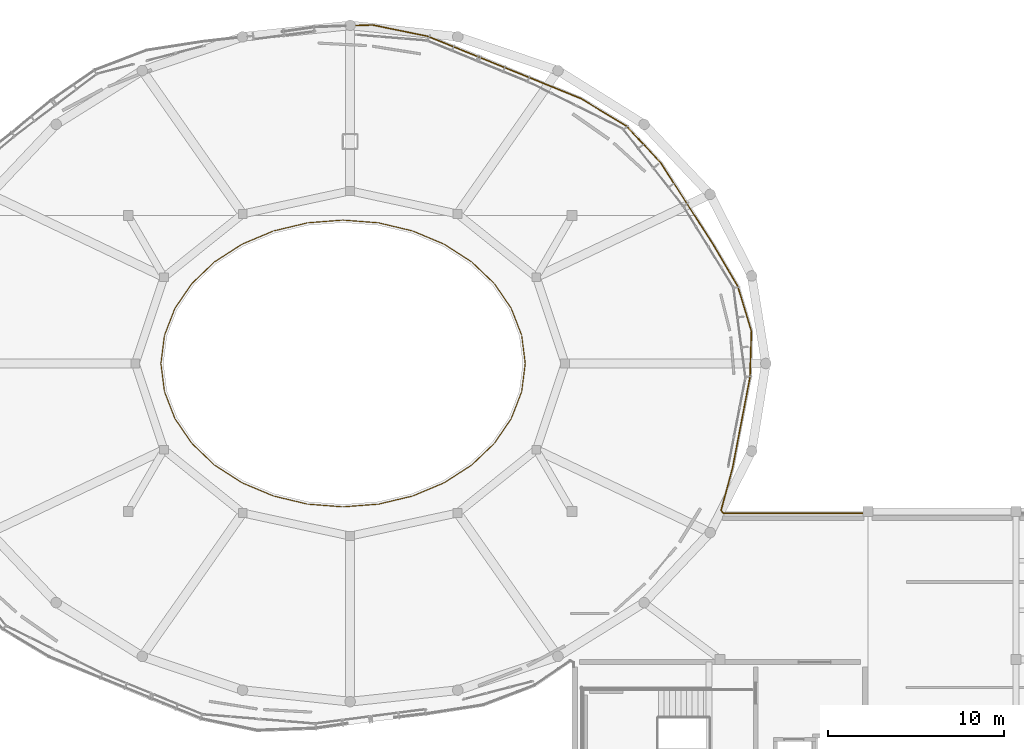
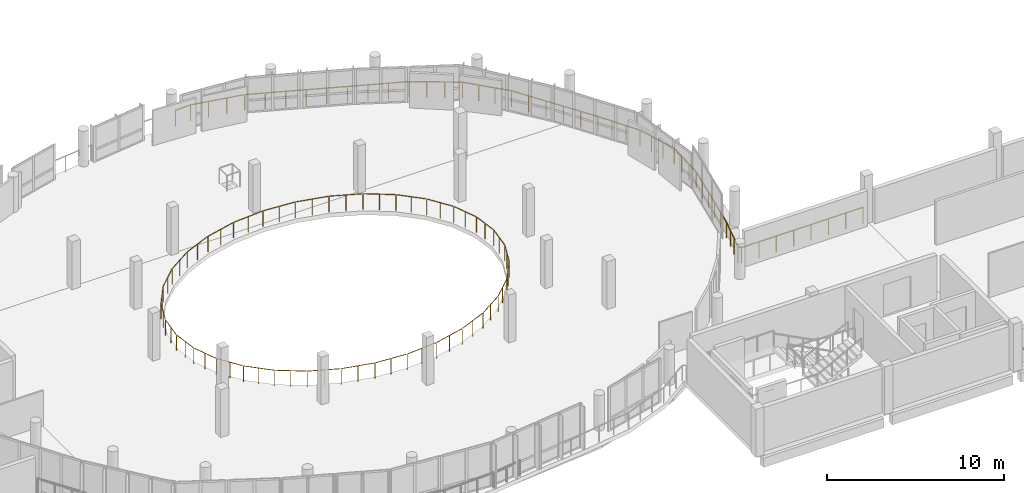
# One storey, part 38 of 43: 2 railings.
"""IFC4 building model written with IfcOpenShell, lengths in metres."""

from ifc_helpers import new_model, si_unit, derived_unit, direction, frame, origin, origin_2d, place, context, subcontext, project, spatial, circle, extrude, material, type_object, element, save


model = new_model("IFC4")

# Units and contexts
model_context = context("Model", 3, precision=1e-05, world=origin(), true_north=direction((0.0, 1.0)))
body_context = subcontext(model_context, "Body", "Model", "MODEL_VIEW")
ifc_project = project(units=[si_unit("LENGTHUNIT", "METRE"), si_unit("AREAUNIT", "SQUARE_METRE"), si_unit("VOLUMEUNIT", "CUBIC_METRE"), si_unit("PLANEANGLEUNIT", "RADIAN"), si_unit("MASSUNIT", "GRAM", prefix="KILO"), derived_unit("THERMALTRANSMITTANCEUNIT", [(si_unit("POWERUNIT", "WATT"), 1), (si_unit("LENGTHUNIT", "METRE"), -2), (si_unit("THERMODYNAMICTEMPERATUREUNIT", "KELVIN"), -1)])], contexts=[model_context])

# Site, building, storey
site_placement = place(None, origin())
site = spatial("IfcSite", under=ifc_project, at=site_placement, CompositionType="ELEMENT")
building_placement = place(site_placement, origin())
building = spatial("IfcBuilding", under=site, at=building_placement, Name="Elbkamm Science Centre", CompositionType="ELEMENT")
storey_placement = place(building_placement, frame((0.0, 0.0, 18.300048828125)))
storey = spatial("IfcBuildingStorey", under=building, at=storey_placement, Name="L04", CompositionType="ELEMENT", Elevation=18.300048828125)

# Railings
ifc_material = material(Name="Stainless steel EN 1.4401", Category="steel")
railing_type_1 = type_object("IfcRailingType", Name="RAIL-EXT-GUARD-1100", PredefinedType="GUARDRAIL", material=ifc_material)
railing_1_placement = place(storey_placement, frame((63.27099609375, 86.383056640625, 0.0)))
element("IfcRailing", 1, at=railing_1_placement, inside=storey, type_object=railing_type_1, Name="L04 Slab Edge Perimeter Guard 100", PredefinedType="GUARDRAIL", context=body_context, shape_type="SweptSolid", body=[
    extrude(circle(Radius=0.02392578125, at=origin_2d()), frame((0.0, 0.0, 1.078125), z_axis=(0.999324862533, 0.036739884652, 0.0), x_axis=(-0.036739884652, 0.999324862533, 0.0)), (0.0, 0.0, 1.0), 0.966796875),
    extrude(circle(Radius=0.02392578125, at=origin_2d()), frame((1.025390625, 0.030517578125, 1.078125), z_axis=(0.979495685035, -0.2014651409, 0.0), x_axis=(0.2014651409, 0.979495685035, 0.0)), (0.0, 0.0, 1.0), 3.168212890625),
    extrude(circle(Radius=0.02392578125, at=origin_2d()), frame((4.18603515625, -0.625, 1.078125), z_axis=(0.926209757619, -0.377008600554, 0.0), x_axis=(0.377008600554, 0.926209757619, 0.0)), (0.0, 0.0, 1.0), 9.302001953125),
    extrude(circle(Radius=0.02392578125, at=origin_2d()), frame((12.85498046875, -4.15869140625, 1.078125), z_axis=(0.856214158233, -0.516621055746, 0.0), x_axis=(0.516621055746, 0.856214158233, 0.0)), (0.0, 0.0, 1.0), 2.961669921875),
    extrude(circle(Radius=0.02392578125, at=origin_2d()), frame((15.43701171875, -5.726318359375, 1.078125), z_axis=(0.681331213167, -0.731975257754, 0.0), x_axis=(0.731975257754, 0.681331213167, 0.0)), (0.0, 0.0, 1.0), 2.83251953125),
    extrude(circle(Radius=0.02392578125, at=origin_2d()), frame((17.4033203125, -7.846923828125, 1.078125), z_axis=(0.538940555862, -0.84234379991, 0.0), x_axis=(0.84234379991, 0.538940555862, 0.0)), (0.0, 0.0, 1.0), 5.451171875),
    extrude(circle(Radius=0.02392578125, at=origin_2d()), frame((20.37255859375, -12.48974609375, 1.078125), z_axis=(0.507643540798, -0.861567197313, 0.0), x_axis=(0.861567197313, 0.507643540798, 0.0)), (0.0, 0.0, 1.0), 2.66064453125),
    extrude(circle(Radius=0.02392578125, at=origin_2d()), frame((21.747314453125, -14.836669921875, 1.078125), z_axis=(0.289828634128, -0.957078556253, 0.0), x_axis=(0.957078556253, 0.289828634128, 0.0)), (0.0, 0.0, 1.0), 2.593505859375),
    extrude(circle(Radius=0.02392578125, at=origin_2d()), frame((22.506591796875, -17.37744140625, 1.078125), z_axis=(-0.02984716151, -0.999554474228, 0.0), x_axis=(0.999554474228, -0.02984716151, 0.0)), (0.0, 0.0, 1.0), 2.565673828125),
    extrude(circle(Radius=0.02392578125, at=origin_2d()), frame((22.423583984375, -20.00146484375, 1.078125), z_axis=(-0.189546381365, -0.981871768263, 0.0), x_axis=(0.981871768263, -0.189546381365, 0.0)), (0.0, 0.0, 1.0), 5.160400390625),
    extrude(circle(Radius=0.02392578125, at=origin_2d()), frame((21.431884765625, -25.126708984375, 1.078125), z_axis=(-0.259216658009, -0.96581919851, 0.0), x_axis=(0.96581919851, -0.259216658009, 0.0)), (0.0, 0.0, 1.0), 2.462158203125),
    extrude(circle(Radius=0.02392578125, at=origin_2d()), frame((20.806640625, -27.555419921875, 1.078125), z_axis=(0.690363276345, -0.723462885485, 0.0), x_axis=(0.723462885485, 0.690363276345, 0.0)), (0.0, 0.0, 1.0), 0.146484375),
    extrude(circle(Radius=0.02392578125, at=origin_2d()), frame((20.95849609375, -27.68310546875, 1.078125), z_axis=(1.0, 0.0, 0.0), x_axis=(0.0, 1.0, 0.0)), (0.0, 0.0, 1.0), 7.890625),
    extrude(circle(Radius=0.02001953125, at=origin_2d()), origin(), (0.0, 0.0, 1.0), 1.048095703125),
    extrude(circle(Radius=0.02001953125, at=origin_2d()), frame((0.99609375, 0.03662109375, 0.0)), (0.0, 0.0, 1.0), 1.048095703125),
    extrude(circle(Radius=0.02001953125, at=origin_2d()), frame((2.050048828125, -0.18017578125, 0.0)), (0.0, 0.0, 1.0), 1.048095703125),
    extrude(circle(Radius=0.02001953125, at=origin_2d()), frame((3.104248046875, -0.39697265625, 0.0)), (0.0, 0.0, 1.0), 1.048095703125),
    extrude(circle(Radius=0.02001953125, at=origin_2d()), frame((4.158203125, -0.61376953125, 0.0)), (0.0, 0.0, 1.0), 1.048095703125),
    extrude(circle(Radius=0.02001953125, at=origin_2d()), frame((5.2421875, -1.054931640625, 0.0)), (0.0, 0.0, 1.0), 1.048095703125),
    extrude(circle(Radius=0.02001953125, at=origin_2d()), frame((6.325927734375, -1.49609375, 0.0)), (0.0, 0.0, 1.0), 1.048095703125),
    extrude(circle(Radius=0.02001953125, at=origin_2d()), frame((7.409912109375, -1.937255859375, 0.0)), (0.0, 0.0, 1.0), 1.048095703125),
    extrude(circle(Radius=0.02001953125, at=origin_2d()), frame((8.49365234375, -2.37841796875, 0.0)), (0.0, 0.0, 1.0), 1.048095703125),
    extrude(circle(Radius=0.02001953125, at=origin_2d()), frame((9.57763671875, -2.81982421875, 0.0)), (0.0, 0.0, 1.0), 1.048095703125),
    extrude(circle(Radius=0.02001953125, at=origin_2d()), frame((10.66162109375, -3.260986328125, 0.0)), (0.0, 0.0, 1.0), 1.048095703125),
    extrude(circle(Radius=0.02001953125, at=origin_2d()), frame((11.745361328125, -3.7021484375, 0.0)), (0.0, 0.0, 1.0), 1.048095703125),
    extrude(circle(Radius=0.02001953125, at=origin_2d()), frame((12.829345703125, -4.143310546875, 0.0)), (0.0, 0.0, 1.0), 1.048095703125),
    extrude(circle(Radius=0.02001953125, at=origin_2d()), frame((13.691650390625, -4.66357421875, 0.0)), (0.0, 0.0, 1.0), 1.048095703125),
    extrude(circle(Radius=0.02001953125, at=origin_2d()), frame((14.55419921875, -5.18408203125, 0.0)), (0.0, 0.0, 1.0), 1.048095703125),
    extrude(circle(Radius=0.02001953125, at=origin_2d()), frame((15.41650390625, -5.704345703125, 0.0)), (0.0, 0.0, 1.0), 1.048095703125),
    extrude(circle(Radius=0.02001953125, at=origin_2d()), frame((16.073486328125, -6.41015625, 0.0)), (0.0, 0.0, 1.0), 1.048095703125),
    extrude(circle(Radius=0.02001953125, at=origin_2d()), frame((16.730224609375, -7.11572265625, 0.0)), (0.0, 0.0, 1.0), 1.048095703125),
    extrude(circle(Radius=0.02001953125, at=origin_2d()), frame((17.38720703125, -7.821533203125, 0.0)), (0.0, 0.0, 1.0), 1.048095703125),
    extrude(circle(Radius=0.02001953125, at=origin_2d()), frame((17.981201171875, -8.75, 0.0)), (0.0, 0.0, 1.0), 1.048095703125),
    extrude(circle(Radius=0.02001953125, at=origin_2d()), frame((18.5751953125, -9.678466796875, 0.0)), (0.0, 0.0, 1.0), 1.048095703125),
    extrude(circle(Radius=0.02001953125, at=origin_2d()), frame((19.16943359375, -10.60693359375, 0.0)), (0.0, 0.0, 1.0), 1.048095703125),
    extrude(circle(Radius=0.02001953125, at=origin_2d()), frame((19.763427734375, -11.535400390625, 0.0)), (0.0, 0.0, 1.0), 1.048095703125),
    extrude(circle(Radius=0.02001953125, at=origin_2d()), frame((20.357421875, -12.4638671875, 0.0)), (0.0, 0.0, 1.0), 1.048095703125),
    extrude(circle(Radius=0.02001953125, at=origin_2d()), frame((20.81787109375, -13.2451171875, 0.0)), (0.0, 0.0, 1.0), 1.048095703125),
    extrude(circle(Radius=0.02001953125, at=origin_2d()), frame((21.278076171875, -14.026611328125, 0.0)), (0.0, 0.0, 1.0), 1.048095703125),
    extrude(circle(Radius=0.02001953125, at=origin_2d()), frame((21.738525390625, -14.807861328125, 0.0)), (0.0, 0.0, 1.0), 1.048095703125),
    extrude(circle(Radius=0.02001953125, at=origin_2d()), frame((21.994873046875, -15.654296875, 0.0)), (0.0, 0.0, 1.0), 1.048095703125),
    extrude(circle(Radius=0.02001953125, at=origin_2d()), frame((22.251220703125, -16.5009765625, 0.0)), (0.0, 0.0, 1.0), 1.048095703125),
    extrude(circle(Radius=0.02001953125, at=origin_2d()), frame((22.507568359375, -17.347412109375, 0.0)), (0.0, 0.0, 1.0), 1.048095703125),
    extrude(circle(Radius=0.02001953125, at=origin_2d()), frame((22.4814453125, -18.22216796875, 0.0)), (0.0, 0.0, 1.0), 1.048095703125),
    extrude(circle(Radius=0.02001953125, at=origin_2d()), frame((22.455322265625, -19.09716796875, 0.0)), (0.0, 0.0, 1.0), 1.048095703125),
    extrude(circle(Radius=0.02001953125, at=origin_2d()), frame((22.42919921875, -19.971923828125, 0.0)), (0.0, 0.0, 1.0), 1.048095703125),
    extrude(circle(Radius=0.02001953125, at=origin_2d()), frame((22.231201171875, -20.9970703125, 0.0)), (0.0, 0.0, 1.0), 1.048095703125),
    extrude(circle(Radius=0.02001953125, at=origin_2d()), frame((22.033447265625, -22.022216796875, 0.0)), (0.0, 0.0, 1.0), 1.048095703125),
    extrude(circle(Radius=0.02001953125, at=origin_2d()), frame((21.83544921875, -23.04736328125, 0.0)), (0.0, 0.0, 1.0), 1.048095703125),
    extrude(circle(Radius=0.02001953125, at=origin_2d()), frame((21.6376953125, -24.072509765625, 0.0)), (0.0, 0.0, 1.0), 1.048095703125),
    extrude(circle(Radius=0.02001953125, at=origin_2d()), frame((21.439697265625, -25.09765625, 0.0)), (0.0, 0.0, 1.0), 1.048095703125),
    extrude(circle(Radius=0.02001953125, at=origin_2d()), frame((21.2216796875, -25.90966796875, 0.0)), (0.0, 0.0, 1.0), 1.048095703125),
    extrude(circle(Radius=0.02001953125, at=origin_2d()), frame((21.00390625, -26.7216796875, 0.0)), (0.0, 0.0, 1.0), 1.048095703125),
    extrude(circle(Radius=0.02001953125, at=origin_2d()), frame((20.785888671875, -27.53369140625, 0.0)), (0.0, 0.0, 1.0), 1.048095703125),
    extrude(circle(Radius=0.02001953125, at=origin_2d()), frame((20.928466796875, -27.68310546875, 0.0)), (0.0, 0.0, 1.0), 1.048095703125),
    extrude(circle(Radius=0.02001953125, at=origin_2d()), frame((22.06005859375, -27.68310546875, 0.0)), (0.0, 0.0, 1.0), 1.048095703125),
    extrude(circle(Radius=0.02001953125, at=origin_2d()), frame((23.19140625, -27.68310546875, 0.0)), (0.0, 0.0, 1.0), 1.048095703125),
    extrude(circle(Radius=0.02001953125, at=origin_2d()), frame((24.322998046875, -27.68310546875, 0.0)), (0.0, 0.0, 1.0), 1.048095703125),
    extrude(circle(Radius=0.02001953125, at=origin_2d()), frame((25.45458984375, -27.68310546875, 0.0)), (0.0, 0.0, 1.0), 1.048095703125),
    extrude(circle(Radius=0.02001953125, at=origin_2d()), frame((26.586181640625, -27.68310546875, 0.0)), (0.0, 0.0, 1.0), 1.048095703125),
    extrude(circle(Radius=0.02001953125, at=origin_2d()), frame((27.717529296875, -27.68310546875, 0.0)), (0.0, 0.0, 1.0), 1.048095703125),
    extrude(circle(Radius=0.02001953125, at=origin_2d()), frame((28.84912109375, -27.68310546875, 0.0)), (0.0, 0.0, 1.0), 1.048095703125),
])
railing_type_2 = type_object("IfcRailingType", Name="RAIL-GUARD-1100", PredefinedType="GUARDRAIL", material=ifc_material)
railing_2_placement = place(storey_placement, frame((53.051513671875, 70.326904296875, 0.0)))
element("IfcRailing", 2, at=railing_2_placement, inside=storey, type_object=railing_type_2, Name="L04 Elliptical Atrium Void Guardrail", PredefinedType="GUARDRAIL", context=body_context, shape_type="SweptSolid", body=[
    extrude(circle(Radius=0.02392578125, at=origin_2d()), frame((0.0, 0.0, 1.078125), z_axis=(0.563230172701, 0.826300049957, 0.0), x_axis=(-0.826300049957, 0.563230172701, 0.0)), (0.0, 0.0, 1.0), 1.6748046875),
    extrude(circle(Radius=0.02392578125, at=origin_2d()), frame((0.98193359375, 1.429443359375, 1.078125), z_axis=(0.72294812775, 0.690902311896, 0.0), x_axis=(-0.690902311896, 0.72294812775, 0.0)), (0.0, 0.0, 1.0), 1.72265625),
    extrude(circle(Radius=0.02392578125, at=origin_2d()), frame((2.274169921875, 2.65673828125, 1.078125), z_axis=(0.840829361313, 0.541300272634, 0.0), x_axis=(-0.541300272634, 0.840829361313, 0.0)), (0.0, 0.0, 1.0), 1.80419921875),
    extrude(circle(Radius=0.02392578125, at=origin_2d()), frame((3.843994140625, 3.6611328125, 1.078125), z_axis=(0.922253863532, 0.386584804667, 0.0), x_axis=(-0.386584804667, 0.922253863532, 0.0)), (0.0, 0.0, 1.0), 1.875732421875),
    extrude(circle(Radius=0.02392578125, at=origin_2d()), frame((5.630859375, 4.404541015625, 1.078125), z_axis=(0.972844388558, 0.231460138365, 0.0), x_axis=(-0.231460138365, 0.972844388558, 0.0)), (0.0, 0.0, 1.0), 1.929443359375),
    extrude(circle(Radius=0.02392578125, at=origin_2d()), frame((7.56689453125, 4.8603515625, 1.078125), z_axis=(0.997034522539, 0.076955577225, 0.0), x_axis=(-0.076955577225, 0.997034522539, 0.0)), (0.0, 0.0, 1.0), 1.957763671875),
    extrude(circle(Radius=0.02392578125, at=origin_2d()), frame((9.57861328125, 5.01123046875, 1.078125), z_axis=(0.997033805831, -0.076964862302, 0.0), x_axis=(0.076964862302, 0.997033805831, 0.0)), (0.0, 0.0, 1.0), 1.95751953125),
    extrude(circle(Radius=0.02392578125, at=origin_2d()), frame((11.58935546875, 4.851318359375, 1.078125), z_axis=(0.972850962247, -0.231432506912, 0.0), x_axis=(0.231432506912, 0.972850962247, 0.0)), (0.0, 0.0, 1.0), 1.929443359375),
    extrude(circle(Radius=0.02392578125, at=origin_2d()), frame((13.523193359375, 4.385986328125, 1.078125), z_axis=(0.922253863532, -0.386584804667, 0.0), x_axis=(0.386584804667, 0.922253863532, 0.0)), (0.0, 0.0, 1.0), 1.875732421875),
    extrude(circle(Radius=0.02392578125, at=origin_2d()), frame((15.305908203125, 3.633056640625, 1.078125), z_axis=(0.84079097989, -0.541359887815, 0.0), x_axis=(0.541359887815, 0.84079097989, 0.0)), (0.0, 0.0, 1.0), 1.803955078125),
    extrude(circle(Radius=0.02392578125, at=origin_2d()), frame((16.86962890625, 2.61962890625, 1.078125), z_axis=(0.72301348959, -0.690833911929, 0.0), x_axis=(0.690833911929, 0.72301348959, 0.0)), (0.0, 0.0, 1.0), 1.722900390625),
    extrude(circle(Radius=0.02392578125, at=origin_2d()), frame((18.15380859375, 1.3837890625, 1.078125), z_axis=(0.563132383687, -0.826366697322, 0.0), x_axis=(0.826366697322, 0.563132383687, 0.0)), (0.0, 0.0, 1.0), 1.644775390625),
    extrude(circle(Radius=0.02392578125, at=origin_2d()), frame((19.107666015625, -0.028076171875, 1.078125), z_axis=(0.360652090239, -0.932700418037, 0.0), x_axis=(0.932700418037, 0.360652090239, 0.0)), (0.0, 0.0, 1.0), 1.582275390625),
    extrude(circle(Radius=0.02392578125, at=origin_2d()), frame((19.69287109375, -1.5615234375, 1.078125), z_axis=(0.124670149627, -0.992198243191, 0.0), x_axis=(0.992198243191, 0.124670149627, 0.0)), (0.0, 0.0, 1.0), 1.5478515625),
    extrude(circle(Radius=0.02392578125, at=origin_2d()), frame((19.885986328125, -3.15673828125, 1.078125), z_axis=(-0.124670149627, -0.992198243191, 0.0), x_axis=(0.992198243191, -0.124670149627, 0.0)), (0.0, 0.0, 1.0), 1.5478515625),
    extrude(circle(Radius=0.02392578125, at=origin_2d()), frame((19.678466796875, -4.750244140625, 1.078125), z_axis=(-0.360652090239, -0.932700418037, 0.0), x_axis=(0.932700418037, -0.360652090239, 0.0)), (0.0, 0.0, 1.0), 1.582275390625),
    extrude(circle(Radius=0.02392578125, at=origin_2d()), frame((19.080078125, -6.27880859375, 1.078125), z_axis=(-0.563132383687, -0.826366697322, 0.0), x_axis=(0.826366697322, -0.563132383687, 0.0)), (0.0, 0.0, 1.0), 1.644775390625),
    extrude(circle(Radius=0.02392578125, at=origin_2d()), frame((18.115234375, -7.683349609375, 1.078125), z_axis=(-0.72301348959, -0.690833911929, 0.0), x_axis=(0.690833911929, -0.72301348959, 0.0)), (0.0, 0.0, 1.0), 1.722900390625),
    extrude(circle(Radius=0.02392578125, at=origin_2d()), frame((16.82275390625, -8.91064453125, 1.078125), z_axis=(-0.840850599404, -0.541267281, 0.0), x_axis=(0.541267281, -0.840850599404, 0.0)), (0.0, 0.0, 1.0), 1.8037109375),
    extrude(circle(Radius=0.02392578125, at=origin_2d()), frame((15.253173828125, -9.914794921875, 1.078125), z_axis=(-0.922253863532, -0.386584804667, 0.0), x_axis=(0.386584804667, -0.922253863532, 0.0)), (0.0, 0.0, 1.0), 1.875732421875),
    extrude(circle(Radius=0.02392578125, at=origin_2d()), frame((13.46630859375, -10.658203125, 1.078125), z_axis=(-0.972850962247, -0.231432506912, 0.0), x_axis=(0.231432506912, -0.972850962247, 0.0)), (0.0, 0.0, 1.0), 1.929443359375),
    extrude(circle(Radius=0.02392578125, at=origin_2d()), frame((11.530029296875, -11.114013671875, 1.078125), z_axis=(-0.997024512467, -0.077085157718, 0.0), x_axis=(0.077085157718, -0.997024512467, 0.0)), (0.0, 0.0, 1.0), 1.95751953125),
    extrude(circle(Radius=0.02392578125, at=origin_2d()), frame((9.5185546875, -11.26513671875, 1.078125), z_axis=(-0.997025231409, 0.077075858302, 0.0), x_axis=(-0.077075858302, -0.997025231409, 0.0)), (0.0, 0.0, 1.0), 1.957763671875),
    extrude(circle(Radius=0.02392578125, at=origin_2d()), frame((7.507568359375, -11.10498046875, 1.078125), z_axis=(-0.972844388558, 0.231460138365, 0.0), x_axis=(-0.231460138365, -0.972844388558, 0.0)), (0.0, 0.0, 1.0), 1.929443359375),
    extrude(circle(Radius=0.02392578125, at=origin_2d()), frame((5.573974609375, -10.6396484375, 1.078125), z_axis=(-0.922253863532, 0.386584804667, 0.0), x_axis=(-0.386584804667, -0.922253863532, 0.0)), (0.0, 0.0, 1.0), 1.875732421875),
    extrude(circle(Radius=0.02392578125, at=origin_2d()), frame((3.791259765625, -9.88671875, 1.078125), z_axis=(-0.840888970417, 0.541207667565, 0.0), x_axis=(-0.541207667565, -0.840888970417, 0.0)), (0.0, 0.0, 1.0), 1.803955078125),
    extrude(circle(Radius=0.02392578125, at=origin_2d()), frame((2.227294921875, -8.87353515625, 1.078125), z_axis=(-0.72294812775, 0.690902311896, 0.0), x_axis=(-0.690902311896, -0.72294812775, 0.0)), (0.0, 0.0, 1.0), 1.72265625),
    extrude(circle(Radius=0.02392578125, at=origin_2d()), frame((0.943359375, -7.6376953125, 1.078125), z_axis=(-0.563230172701, 0.826300049957, 0.0), x_axis=(-0.826300049957, -0.563230172701, 0.0)), (0.0, 0.0, 1.0), 1.644775390625),
    extrude(circle(Radius=0.02392578125, at=origin_2d()), frame((-0.0107421875, -6.225830078125, 1.078125), z_axis=(-0.360652090239, 0.932700418037, 0.0), x_axis=(-0.932700418037, -0.360652090239, 0.0)), (0.0, 0.0, 1.0), 1.582275390625),
    extrude(circle(Radius=0.02392578125, at=origin_2d()), frame((-0.595947265625, -4.6923828125, 1.078125), z_axis=(-0.124670149627, 0.992198243191, 0.0), x_axis=(-0.992198243191, -0.124670149627, 0.0)), (0.0, 0.0, 1.0), 1.5478515625),
    extrude(circle(Radius=0.02392578125, at=origin_2d()), frame((-0.7890625, -3.09716796875, 1.078125), z_axis=(0.124670149627, 0.992198243191, 0.0), x_axis=(-0.992198243191, 0.124670149627, 0.0)), (0.0, 0.0, 1.0), 1.5478515625),
    extrude(circle(Radius=0.02392578125, at=origin_2d()), frame((-0.58154296875, -1.503662109375, 1.078125), z_axis=(0.360652090239, 0.932700418037, 0.0), x_axis=(-0.932700418037, 0.360652090239, 0.0)), (0.0, 0.0, 1.0), 1.6123046875),
    extrude(circle(Radius=0.02001953125, at=origin_2d()), origin(), (0.0, 0.0, 1.0), 1.048095703125),
    extrude(circle(Radius=0.02001953125, at=origin_2d()), frame((0.47998046875, 0.704345703125, 0.0)), (0.0, 0.0, 1.0), 1.048095703125),
    extrude(circle(Radius=0.02001953125, at=origin_2d()), frame((0.960205078125, 1.40869140625, 0.0)), (0.0, 0.0, 1.0), 1.048095703125),
    extrude(circle(Radius=0.02001953125, at=origin_2d()), frame((1.6044921875, 2.0244140625, 0.0)), (0.0, 0.0, 1.0), 1.048095703125),
    extrude(circle(Radius=0.02001953125, at=origin_2d()), frame((2.2490234375, 2.640380859375, 0.0)), (0.0, 0.0, 1.0), 1.048095703125),
    extrude(circle(Radius=0.02001953125, at=origin_2d()), frame((3.03271484375, 3.14501953125, 0.0)), (0.0, 0.0, 1.0), 1.048095703125),
    extrude(circle(Radius=0.02001953125, at=origin_2d()), frame((3.81640625, 3.6494140625, 0.0)), (0.0, 0.0, 1.0), 1.048095703125),
    extrude(circle(Radius=0.02001953125, at=origin_2d()), frame((4.708984375, 4.0234375, 0.0)), (0.0, 0.0, 1.0), 1.048095703125),
    extrude(circle(Radius=0.02001953125, at=origin_2d()), frame((5.6015625, 4.397705078125, 0.0)), (0.0, 0.0, 1.0), 1.048095703125),
    extrude(circle(Radius=0.02001953125, at=origin_2d()), frame((6.5693359375, 4.6279296875, 0.0)), (0.0, 0.0, 1.0), 1.048095703125),
    extrude(circle(Radius=0.02001953125, at=origin_2d()), frame((7.536865234375, 4.858154296875, 0.0)), (0.0, 0.0, 1.0), 1.048095703125),
    extrude(circle(Radius=0.02001953125, at=origin_2d()), frame((8.542724609375, 4.935791015625, 0.0)), (0.0, 0.0, 1.0), 1.048095703125),
    extrude(circle(Radius=0.02001953125, at=origin_2d()), frame((9.548583984375, 5.013427734375, 0.0)), (0.0, 0.0, 1.0), 1.048095703125),
    extrude(circle(Radius=0.02001953125, at=origin_2d()), frame((10.55419921875, 4.935791015625, 0.0)), (0.0, 0.0, 1.0), 1.048095703125),
    extrude(circle(Radius=0.02001953125, at=origin_2d()), frame((11.56005859375, 4.858154296875, 0.0)), (0.0, 0.0, 1.0), 1.048095703125),
    extrude(circle(Radius=0.02001953125, at=origin_2d()), frame((12.52783203125, 4.6279296875, 0.0)), (0.0, 0.0, 1.0), 1.048095703125),
    extrude(circle(Radius=0.02001953125, at=origin_2d()), frame((13.49560546875, 4.397705078125, 0.0)), (0.0, 0.0, 1.0), 1.048095703125),
    extrude(circle(Radius=0.02001953125, at=origin_2d()), frame((14.38818359375, 4.0234375, 0.0)), (0.0, 0.0, 1.0), 1.048095703125),
    extrude(circle(Radius=0.02001953125, at=origin_2d()), frame((15.28076171875, 3.6494140625, 0.0)), (0.0, 0.0, 1.0), 1.048095703125),
    extrude(circle(Radius=0.02001953125, at=origin_2d()), frame((16.064453125, 3.14501953125, 0.0)), (0.0, 0.0, 1.0), 1.048095703125),
    extrude(circle(Radius=0.02001953125, at=origin_2d()), frame((16.847900390625, 2.640380859375, 0.0)), (0.0, 0.0, 1.0), 1.048095703125),
    extrude(circle(Radius=0.02001953125, at=origin_2d()), frame((17.492431640625, 2.0244140625, 0.0)), (0.0, 0.0, 1.0), 1.048095703125),
    extrude(circle(Radius=0.02001953125, at=origin_2d()), frame((18.136962890625, 1.40869140625, 0.0)), (0.0, 0.0, 1.0), 1.048095703125),
    extrude(circle(Radius=0.02001953125, at=origin_2d()), frame((18.616943359375, 0.704345703125, 0.0)), (0.0, 0.0, 1.0), 1.048095703125),
    extrude(circle(Radius=0.02001953125, at=origin_2d()), frame((19.096923828125, 0.0, 0.0)), (0.0, 0.0, 1.0), 1.048095703125),
    extrude(circle(Radius=0.02001953125, at=origin_2d()), frame((19.39306640625, -0.765869140625, 0.0)), (0.0, 0.0, 1.0), 1.048095703125),
    extrude(circle(Radius=0.02001953125, at=origin_2d()), frame((19.689208984375, -1.53173828125, 0.0)), (0.0, 0.0, 1.0), 1.048095703125),
    extrude(circle(Radius=0.02001953125, at=origin_2d()), frame((19.78955078125, -2.329345703125, 0.0)), (0.0, 0.0, 1.0), 1.048095703125),
    extrude(circle(Radius=0.02001953125, at=origin_2d()), frame((19.8896484375, -3.126953125, 0.0)), (0.0, 0.0, 1.0), 1.048095703125),
    extrude(circle(Radius=0.02001953125, at=origin_2d()), frame((19.78955078125, -3.924560546875, 0.0)), (0.0, 0.0, 1.0), 1.048095703125),
    extrude(circle(Radius=0.02001953125, at=origin_2d()), frame((19.689208984375, -4.72216796875, 0.0)), (0.0, 0.0, 1.0), 1.048095703125),
    extrude(circle(Radius=0.02001953125, at=origin_2d()), frame((19.39306640625, -5.488037109375, 0.0)), (0.0, 0.0, 1.0), 1.048095703125),
    extrude(circle(Radius=0.02001953125, at=origin_2d()), frame((19.096923828125, -6.25390625, 0.0)), (0.0, 0.0, 1.0), 1.048095703125),
    extrude(circle(Radius=0.02001953125, at=origin_2d()), frame((18.616943359375, -6.958251953125, 0.0)), (0.0, 0.0, 1.0), 1.048095703125),
    extrude(circle(Radius=0.02001953125, at=origin_2d()), frame((18.136962890625, -7.66259765625, 0.0)), (0.0, 0.0, 1.0), 1.048095703125),
    extrude(circle(Radius=0.02001953125, at=origin_2d()), frame((17.492431640625, -8.2783203125, 0.0)), (0.0, 0.0, 1.0), 1.048095703125),
    extrude(circle(Radius=0.02001953125, at=origin_2d()), frame((16.847900390625, -8.894287109375, 0.0)), (0.0, 0.0, 1.0), 1.048095703125),
    extrude(circle(Radius=0.02001953125, at=origin_2d()), frame((16.064453125, -9.398681640625, 0.0)), (0.0, 0.0, 1.0), 1.048095703125),
    extrude(circle(Radius=0.02001953125, at=origin_2d()), frame((15.28076171875, -9.903076171875, 0.0)), (0.0, 0.0, 1.0), 1.048095703125),
    extrude(circle(Radius=0.02001953125, at=origin_2d()), frame((14.38818359375, -10.27734375, 0.0)), (0.0, 0.0, 1.0), 1.048095703125),
    extrude(circle(Radius=0.02001953125, at=origin_2d()), frame((13.49560546875, -10.6513671875, 0.0)), (0.0, 0.0, 1.0), 1.048095703125),
    extrude(circle(Radius=0.02001953125, at=origin_2d()), frame((12.52783203125, -10.881591796875, 0.0)), (0.0, 0.0, 1.0), 1.048095703125),
    extrude(circle(Radius=0.02001953125, at=origin_2d()), frame((11.56005859375, -11.11181640625, 0.0)), (0.0, 0.0, 1.0), 1.048095703125),
    extrude(circle(Radius=0.02001953125, at=origin_2d()), frame((10.55419921875, -11.189453125, 0.0)), (0.0, 0.0, 1.0), 1.048095703125),
    extrude(circle(Radius=0.02001953125, at=origin_2d()), frame((9.548583984375, -11.267333984375, 0.0)), (0.0, 0.0, 1.0), 1.048095703125),
    extrude(circle(Radius=0.02001953125, at=origin_2d()), frame((8.542724609375, -11.189453125, 0.0)), (0.0, 0.0, 1.0), 1.048095703125),
    extrude(circle(Radius=0.02001953125, at=origin_2d()), frame((7.536865234375, -11.11181640625, 0.0)), (0.0, 0.0, 1.0), 1.048095703125),
    extrude(circle(Radius=0.02001953125, at=origin_2d()), frame((6.5693359375, -10.881591796875, 0.0)), (0.0, 0.0, 1.0), 1.048095703125),
    extrude(circle(Radius=0.02001953125, at=origin_2d()), frame((5.6015625, -10.6513671875, 0.0)), (0.0, 0.0, 1.0), 1.048095703125),
    extrude(circle(Radius=0.02001953125, at=origin_2d()), frame((4.708984375, -10.27734375, 0.0)), (0.0, 0.0, 1.0), 1.048095703125),
    extrude(circle(Radius=0.02001953125, at=origin_2d()), frame((3.81640625, -9.903076171875, 0.0)), (0.0, 0.0, 1.0), 1.048095703125),
    extrude(circle(Radius=0.02001953125, at=origin_2d()), frame((3.03271484375, -9.398681640625, 0.0)), (0.0, 0.0, 1.0), 1.048095703125),
    extrude(circle(Radius=0.02001953125, at=origin_2d()), frame((2.2490234375, -8.894287109375, 0.0)), (0.0, 0.0, 1.0), 1.048095703125),
    extrude(circle(Radius=0.02001953125, at=origin_2d()), frame((1.6044921875, -8.2783203125, 0.0)), (0.0, 0.0, 1.0), 1.048095703125),
    extrude(circle(Radius=0.02001953125, at=origin_2d()), frame((0.960205078125, -7.66259765625, 0.0)), (0.0, 0.0, 1.0), 1.048095703125),
    extrude(circle(Radius=0.02001953125, at=origin_2d()), frame((0.47998046875, -6.958251953125, 0.0)), (0.0, 0.0, 1.0), 1.048095703125),
    extrude(circle(Radius=0.02001953125, at=origin_2d()), frame((0.0, -6.25390625, 0.0)), (0.0, 0.0, 1.0), 1.048095703125),
    extrude(circle(Radius=0.02001953125, at=origin_2d()), frame((-0.296142578125, -5.488037109375, 0.0)), (0.0, 0.0, 1.0), 1.048095703125),
    extrude(circle(Radius=0.02001953125, at=origin_2d()), frame((-0.59228515625, -4.72216796875, 0.0)), (0.0, 0.0, 1.0), 1.048095703125),
    extrude(circle(Radius=0.02001953125, at=origin_2d()), frame((-0.6923828125, -3.924560546875, 0.0)), (0.0, 0.0, 1.0), 1.048095703125),
    extrude(circle(Radius=0.02001953125, at=origin_2d()), frame((-0.792724609375, -3.126953125, 0.0)), (0.0, 0.0, 1.0), 1.048095703125),
    extrude(circle(Radius=0.02001953125, at=origin_2d()), frame((-0.6923828125, -2.329345703125, 0.0)), (0.0, 0.0, 1.0), 1.048095703125),
    extrude(circle(Radius=0.02001953125, at=origin_2d()), frame((-0.59228515625, -1.53173828125, 0.0)), (0.0, 0.0, 1.0), 1.048095703125),
    extrude(circle(Radius=0.02001953125, at=origin_2d()), frame((-0.296142578125, -0.765869140625, 0.0)), (0.0, 0.0, 1.0), 1.048095703125),
])

save(model, "model.ifc")
